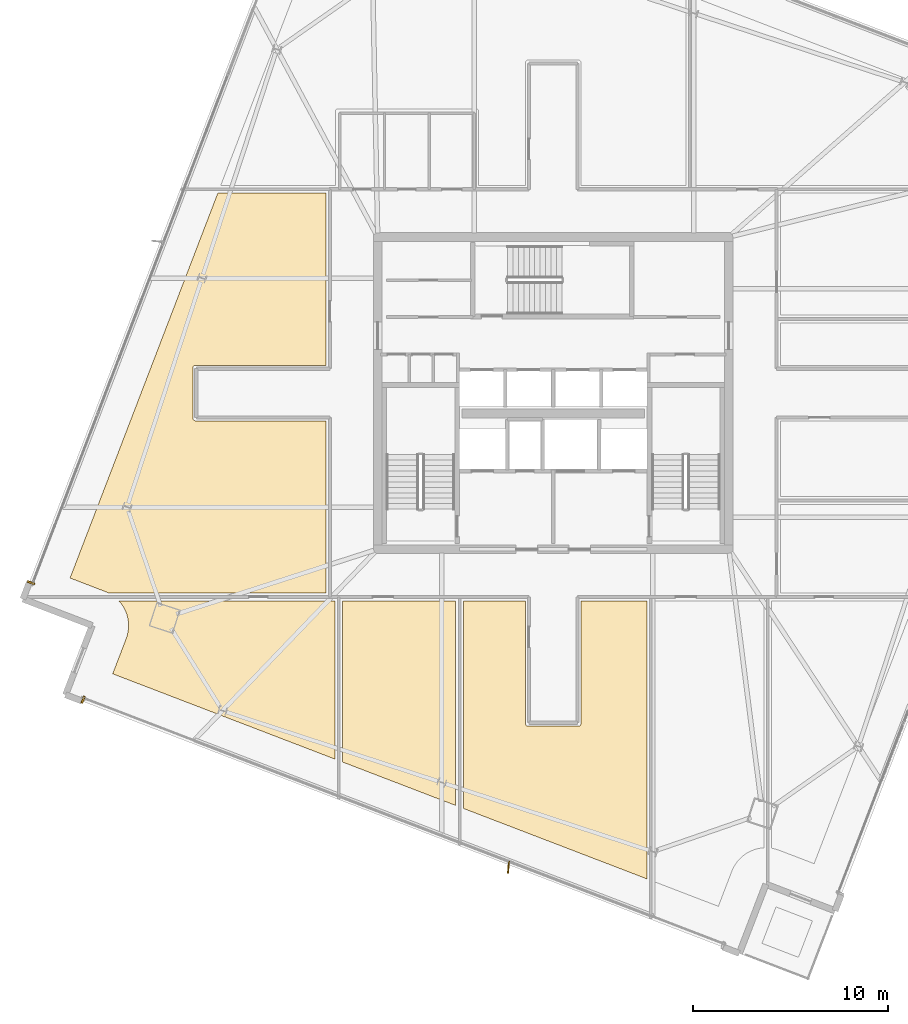
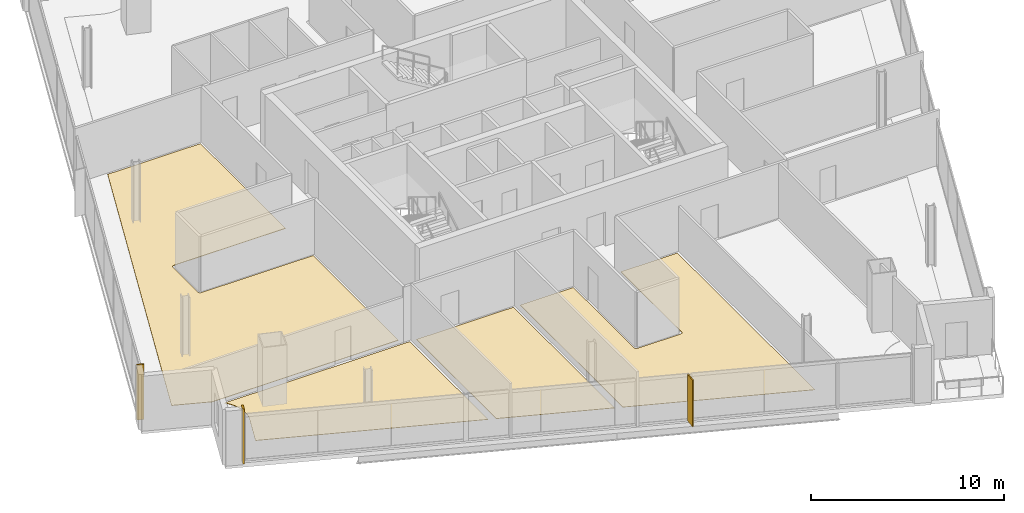
# One storey, part 23 of 27: 6 coverings, 1 shading device.
"""IFC4 building model written with IfcOpenShell, lengths in metres."""

from ifc_helpers import new_model, si_unit, direction, frame, origin, origin_2d, place, context, subcontext, project, spatial, polyline, rectangle, outline, extrude, source, transform, mapped, material, layer, layer_set, type_object, element, save


model = new_model("IFC4")

# Units and contexts
model_context = context("Model", 3, precision=1e-05, world=origin(), true_north=direction((0.0, 1.0)))
body_context = subcontext(model_context, "Body", "Model", "MODEL_VIEW")
ifc_project = project(units=[si_unit("LENGTHUNIT", "METRE"), si_unit("AREAUNIT", "SQUARE_METRE"), si_unit("VOLUMEUNIT", "CUBIC_METRE"), si_unit("PLANEANGLEUNIT", "RADIAN"), si_unit("MASSUNIT", "GRAM", prefix="KILO")], contexts=[model_context])

# Site, building, storey
site_placement = place(None, origin())
site = spatial("IfcSite", under=ifc_project, at=site_placement, CompositionType="ELEMENT")
building_placement = place(site_placement, origin())
building = spatial("IfcBuilding", under=site, at=building_placement, Name="Haldenkirk Collegiate Tower", CompositionType="ELEMENT")
storey_placement = place(building_placement, frame((0.0, 0.0, 259.949951171875)))
storey = spatial("IfcBuildingStorey", under=building, at=storey_placement, Name="L65", CompositionType="ELEMENT", Elevation=259.949951171875)

# Coverings
ifc_material_1 = material(Name="Polished collegiate terrazzo", Category="concrete")
ifc_layer_1 = layer(ifc_material_1, 0.02490234375)
ifc_layer_set_1 = layer_set([ifc_layer_1], Name="Polished collegiate terrazzo")
covering_type_1 = type_object("IfcCoveringType", Name="COV-FLOOR-TERRAZZO", PredefinedType="FLOORING", material=ifc_layer_set_1)
covering_1_placement = place(storey_placement, origin())
element("IfcCovering", 1, at=covering_1_placement, inside=storey, type_object=covering_type_1, Name="L65 academic room finish 02", PredefinedType="FLOORING", context=body_context, shape_type="SweptSolid", body=[
    extrude(outline(polyline([(25.199951171875, 7.083984375), (25.199951171875, 15.35009765625), (31.0, 15.35009765625), (31.0, 4.857666015625), (25.199951171875, 7.083984375)])), origin(), (0.0, 0.0, 1.0), 0.025146484375),
])
covering_2_placement = place(storey_placement, origin())
element("IfcCovering", 2, at=covering_2_placement, inside=storey, type_object=covering_type_1, Name="L65 academic room finish 08", PredefinedType="FLOORING", context=body_context, shape_type="SweptSolid", body=[
    extrude(outline(polyline([(13.200927734375, 15.75), (13.191162109375, 15.7548828125), (13.033935546875, 15.824462890625), (13.0283203125, 15.82666015625), (11.2265625, 16.518310546875), (18.801025390625, 36.25), (24.35009765625, 36.25), (24.35009765625, 27.419921875), (17.64990234375, 27.419921875), (17.63818359375, 27.41943359375), (17.626708984375, 27.417724609375), (17.615234375, 27.414794921875), (17.60400390625, 27.410888671875), (17.593505859375, 27.40576171875), (17.583251953125, 27.39990234375), (17.573974609375, 27.392822265625), (17.565185546875, 27.385009765625), (17.55712890625, 27.376220703125), (17.55029296875, 27.36669921875), (17.544189453125, 27.356689453125), (17.5390625, 27.345947265625), (17.53515625, 27.334716796875), (17.5322265625, 27.323486328125), (17.530517578125, 27.311767578125), (17.530029296875, 27.300048828125), (17.530029296875, 24.699951171875), (17.530517578125, 24.688232421875), (17.5322265625, 24.676513671875), (17.53515625, 24.665283203125), (17.5390625, 24.654052734375), (17.544189453125, 24.643310546875), (17.55029296875, 24.63330078125), (17.55712890625, 24.623779296875), (17.565185546875, 24.614990234375), (17.573974609375, 24.607177734375), (17.583251953125, 24.60009765625), (17.593505859375, 24.59423828125), (17.60400390625, 24.589111328125), (17.615234375, 24.585205078125), (17.626708984375, 24.582275390625), (17.63818359375, 24.58056640625), (17.64990234375, 24.580078125), (24.35009765625, 24.580078125), (24.35009765625, 15.75), (13.200927734375, 15.75)])), origin(), (0.0, 0.0, 1.0), 0.025146484375),
])
ifc_material_2 = material(Name="Engineered collegiate oak acoustic flooring", Category="wood")
ifc_layer_2 = layer(ifc_material_2, 0.02197265625)
ifc_layer_set_2 = layer_set([ifc_layer_2], Name="Engineered collegiate oak acoustic flooring")
covering_type_2 = type_object("IfcCoveringType", Name="COV-FLOOR-TIMBER", PredefinedType="FLOORING", material=ifc_layer_set_2)
covering_3_placement = place(storey_placement, origin())
element("IfcCovering", 3, at=covering_3_placement, inside=storey, type_object=covering_type_2, Name="L65 academic room finish 01", PredefinedType="FLOORING", context=body_context, shape_type="SweptSolid", body=[
    extrude(outline(polyline([(13.412353515625, 11.60888671875), (14.10400390625, 13.41064453125), (14.106201171875, 13.416259765625), (14.15966796875, 13.579345703125), (14.162841796875, 13.5908203125), (14.2001953125, 13.75830078125), (14.2021484375, 13.77001953125), (14.222900390625, 13.9404296875), (14.223876953125, 13.9521484375), (14.227783203125, 14.123779296875), (14.227294921875, 14.135498046875), (14.214599609375, 14.306884765625), (14.212890625, 14.318603515625), (14.183349609375, 14.48779296875), (14.1806640625, 14.4990234375), (14.134765625, 14.66455078125), (14.131103515625, 14.67578125), (14.06884765625, 14.8359375), (14.064208984375, 14.8466796875), (13.986572265625, 15.0), (13.980712890625, 15.01025390625), (13.888671875, 15.1552734375), (13.8818359375, 15.164794921875), (13.77587890625, 15.300048828125), (13.768310546875, 15.308837890625), (13.72900390625, 15.35009765625), (24.800048828125, 15.35009765625), (24.800048828125, 7.237548828125), (13.412353515625, 11.60888671875)])), origin(), (0.0, 0.0, 1.0), 0.02197265625),
])
covering_4_placement = place(storey_placement, origin())
element("IfcCovering", 4, at=covering_4_placement, inside=storey, type_object=covering_type_2, Name="L65 academic room finish 03", PredefinedType="FLOORING", context=body_context, shape_type="SweptSolid", body=[
    extrude(outline(polyline([(31.39990234375, 4.7041015625), (31.39990234375, 15.35009765625), (34.580078125, 15.35009765625), (34.580078125, 9.050048828125), (34.58056640625, 9.0380859375), (34.582275390625, 9.026611328125), (34.585205078125, 9.01513671875), (34.589111328125, 9.004150390625), (34.59423828125, 8.993408203125), (34.60009765625, 8.9833984375), (34.607177734375, 8.973876953125), (34.614990234375, 8.965087890625), (34.623779296875, 8.957275390625), (34.63330078125, 8.9501953125), (34.643310546875, 8.944091796875), (34.654052734375, 8.939208984375), (34.665283203125, 8.935302734375), (34.676513671875, 8.932373046875), (34.688232421875, 8.9306640625), (34.699951171875, 8.929931640625), (37.300048828125, 8.929931640625), (37.311767578125, 8.9306640625), (37.323486328125, 8.932373046875), (37.334716796875, 8.935302734375), (37.345947265625, 8.939208984375), (37.356689453125, 8.944091796875), (37.36669921875, 8.9501953125), (37.376220703125, 8.957275390625), (37.385009765625, 8.965087890625), (37.392822265625, 8.973876953125), (37.39990234375, 8.9833984375), (37.40576171875, 8.993408203125), (37.410888671875, 9.004150390625), (37.414794921875, 9.01513671875), (37.417724609375, 9.026611328125), (37.41943359375, 9.0380859375), (37.419921875, 9.050048828125), (37.419921875, 15.35009765625), (40.800048828125, 15.35009765625), (40.800048828125, 1.095703125), (31.39990234375, 4.7041015625)])), origin(), (0.0, 0.0, 1.0), 0.02197265625),
])
ifc_material_3 = material(Name="Anodised architectural bronze aluminium", Category="aluminium")
ifc_layer_3 = layer(ifc_material_3, 0.06005859375)
ifc_layer_set_3 = layer_set([ifc_layer_3], Name="Anodised architectural bronze aluminium")
covering_type_3 = type_object("IfcCoveringType", Name="COV-CLAD-BRONZE-60", PredefinedType="CLADDING", material=ifc_layer_set_3)
shared_shape_1 = source(origin(), body_context, "Body", "SweptSolid", [
    extrude(rectangle(XDim=0.10009765625, YDim=0.3798828125, at=origin_2d()), origin(), (0.0, 0.0, 1.0), 3.47998046875),
])
for number, where, z_axis, x_axis, name in (
    (5, (9.22802734375, 16.278564453125, 0.0), (0.0, 0.0, 1.0), (0.358367949545, 0.933580426497, 0.0), "L65 recessed curtain-wall bronze jamb closure NJL"),
    (6, (11.89697265625, 10.283935546875, 0.0), (0.0, 0.0, 1.0), (-0.933580426497, 0.358367949545, 0.0), "L65 recessed curtain-wall bronze jamb closure WJR"),
):
    element("IfcCovering", number, at=place(storey_placement, frame(where, z_axis=z_axis, x_axis=x_axis)), inside=storey, type_object=covering_type_3, Name=name, PredefinedType="CLADDING", context=body_context, shape_type="MappedRepresentation", body=[
        mapped(shared_shape_1, transform((0.0, 0.0, 0.0), x_axis=(1.0, 0.0, 0.0), y_axis=(0.0, 1.0, 0.0), z_axis=(0.0, 0.0, 1.0), scale=1.0)),
    ])

# Shading device
ifc_layer_4 = layer(ifc_material_3, 0.06494140625)
ifc_layer_set_4 = layer_set([ifc_layer_4], Name="Anodised architectural bronze aluminium")
shading_device_type = type_object("IfcShadingDeviceType", Name="SHD-FIN-BRONZE-620", PredefinedType="USERDEFINED", material=ifc_layer_set_4)
shared_shape_2 = source(origin(), body_context, "Body", "SweptSolid", [
    extrude(rectangle(XDim=0.6201171875, YDim=0.06494140625, at=origin_2d()), origin(), (0.0, 0.0, 1.0), 2.93798828125),
])
shading_device_placement = place(storey_placement, frame((33.70361328125, 1.693603515625, 0.0), z_axis=(0.0, 0.0, 1.0), x_axis=(-0.087155742748, -0.996194698092, 0.0)))
element("IfcShadingDevice", 7, at=shading_device_placement, inside=storey, type_object=shading_device_type, Name="L65 folded bronze solar fin 1", ObjectType="FIN", PredefinedType="USERDEFINED", context=body_context, shape_type="MappedRepresentation", body=[
    mapped(shared_shape_2, transform((0.0, 0.0, 0.0), x_axis=(1.0, 0.0, 0.0), y_axis=(0.0, 1.0, 0.0), z_axis=(0.0, 0.0, 1.0), scale=1.0)),
])

save(model, "model.ifc")
